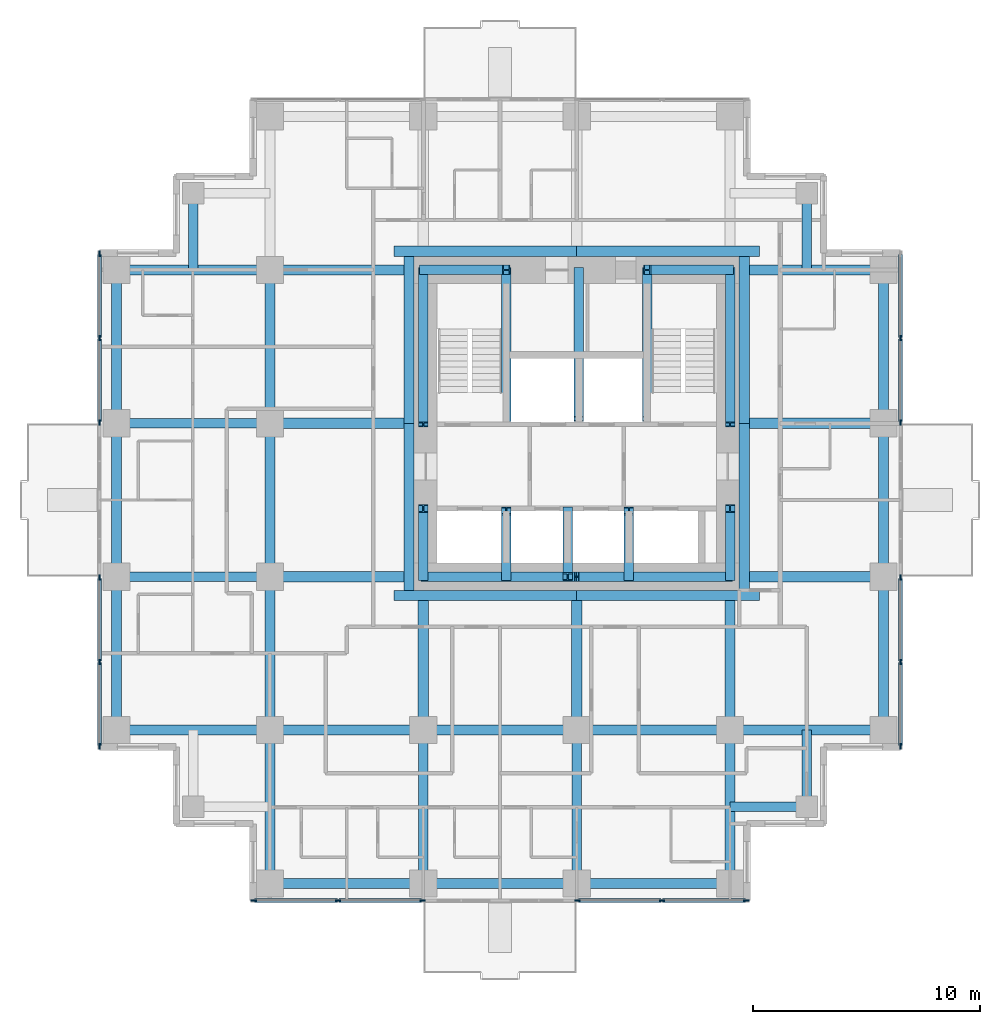
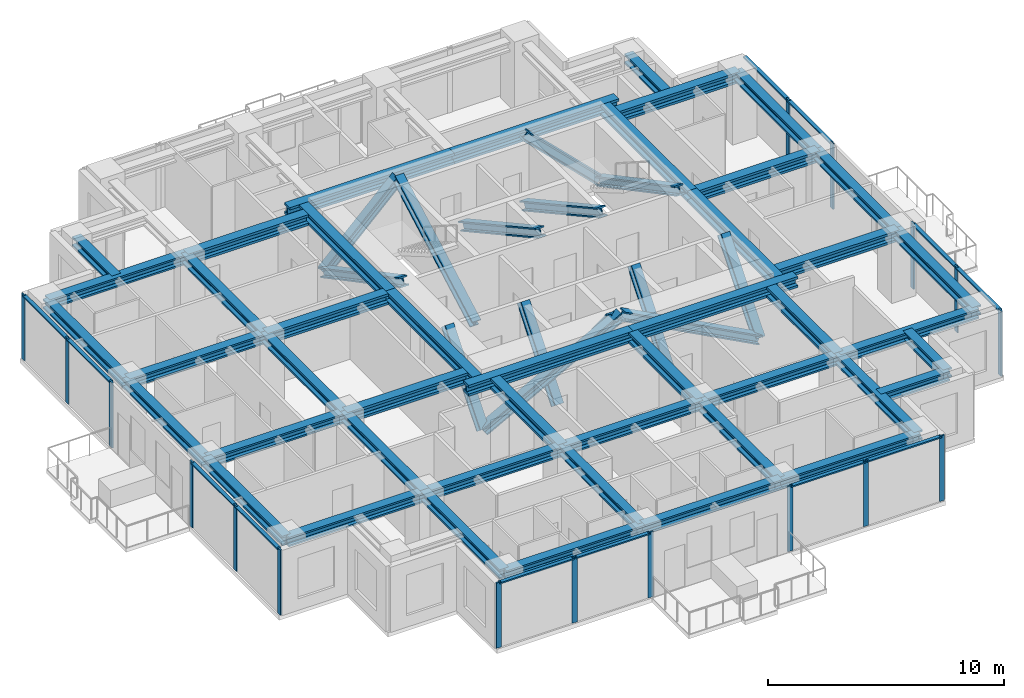
# One storey, part 2 of 10: 45 beams, 43 members, 6 elements without a shape of their own.
"""IFC4 building model written with IfcOpenShell, lengths in metres."""

import ifcopenshell
import ifcopenshell.guid

model = None  # the IFC model being written
_history = None  # IfcOwnerHistory: only IFC2X3 demands one
_inside = {}  # id of a spatial element -> (the spatial element, [elements in it])
_under = {}  # id of a project, library or spatial element -> (it, [spatial elements below it])
_declared = {}  # id of a project -> (the project, [libraries it declares])
_typed = {}  # id of a type object -> (the type object, [elements of that type])
_made_of = {}  # id of a material, layer set ... -> (it, [elements and type objects made of it])


def new_model(schema):
    """Start an empty IFC model of exactly this schema.

    Asked for "IFC4X3", IfcOpenShell would pick the latest addendum, in which some entities
    have other attributes; the version numbers below select the first issue.
    IFC2X3 requires an IfcOwnerHistory on every rooted entity: one is made here for all.
    """
    global model, _history
    if schema == "IFC4X3":
        model = ifcopenshell.file(schema_version=(4, 3, 0, 0))
    else:
        model = ifcopenshell.file(schema=schema)
    _inside.clear()
    _under.clear()
    _declared.clear()
    _typed.clear()
    _made_of.clear()
    _history = None
    if model.schema == "IFC2X3":
        org = make("IfcOrganization", Name="unknown")
        user = make(
            "IfcPersonAndOrganization",
            ThePerson=make("IfcPerson", FamilyName="unknown"),
            TheOrganization=org,
        )
        app = make(
            "IfcApplication",
            ApplicationDeveloper=org,
            Version="unknown",
            ApplicationFullName="unknown",
            ApplicationIdentifier="unknown",
        )
        _history = make(
            "IfcOwnerHistory",
            OwningUser=user,
            OwningApplication=app,
            ChangeAction="ADDED",
            CreationDate=0,
        )
    return model


def make(cls, **values):
    """One entity of the class cls with the attributes given. An attribute that is None is left unset."""
    return model.create_entity(
        cls, **{name: value for name, value in values.items() if value is not None}
    )


def rooted(cls, **values):
    """An entity with a GlobalId (a new one), such as an element, a storey or a relation."""
    return make(cls, GlobalId=ifcopenshell.guid.new(), OwnerHistory=_history, **values)


def si_unit(unit_type, name, prefix=None):
    """IfcSIUnit, for example si_unit("LENGTHUNIT", "METRE", prefix="MILLI")."""
    return make("IfcSIUnit", UnitType=unit_type, Prefix=prefix, Name=name)


def assignment(units):
    """IfcUnitAssignment: the units of a project."""
    return None if units is None else make("IfcUnitAssignment", Units=units)


def point(xyz):
    """IfcCartesianPoint."""
    return None if xyz is None else make("IfcCartesianPoint", Coordinates=xyz)


def direction(xyz):
    """IfcDirection."""
    return None if xyz is None else make("IfcDirection", DirectionRatios=xyz)


def frame(location, z_axis=None, x_axis=None):
    """IfcAxis2Placement3D, a coordinate frame: its origin and axes. An axis left out is left unset."""
    return make(
        "IfcAxis2Placement3D",
        Location=point(location),
        Axis=direction(z_axis),
        RefDirection=direction(x_axis),
    )


def frame_2d(location, x_axis=None):
    """IfcAxis2Placement2D, a coordinate frame in the plane: its origin and x axis."""
    return make(
        "IfcAxis2Placement2D", Location=point(location), RefDirection=direction(x_axis)
    )


def origin():
    """The frame at (0, 0, 0) with its axes left unset."""
    return frame((0.0, 0.0, 0.0))


def origin_2d():
    """The frame at (0, 0) in the plane with its x axis left unset."""
    return frame_2d((0.0, 0.0))


def place(relative_to, where):
    """IfcLocalPlacement: puts the frame where relative to a parent placement (None: the world)."""
    return make(
        "IfcLocalPlacement", PlacementRelTo=relative_to, RelativePlacement=where
    )


def context(
    kind, dimensions, precision=None, world=None, true_north=None, identifier=None
):
    """IfcGeometricRepresentationContext, for example the 3D "Model" context."""
    return make(
        "IfcGeometricRepresentationContext",
        ContextIdentifier=identifier,
        ContextType=kind,
        CoordinateSpaceDimension=dimensions,
        Precision=precision,
        WorldCoordinateSystem=world,
        TrueNorth=true_north,
    )


def subcontext(parent, identifier, kind, view, scale=None):
    """IfcGeometricRepresentationSubContext, for example "Body" below "Model"."""
    return make(
        "IfcGeometricRepresentationSubContext",
        ContextIdentifier=identifier,
        ContextType=kind,
        ParentContext=parent,
        TargetScale=scale,
        TargetView=view,
    )


def project(units=None, contexts=None):
    """IfcProject with its units and contexts."""
    return rooted(
        "IfcProject",
        Name="project",
        RepresentationContexts=contexts,
        UnitsInContext=assignment(units),
    )


def spatial(cls, under=None, at=None, **own):
    """A site, building, storey or space (cls), placed at a placement, below another one or the project."""
    s = rooted(cls, ObjectPlacement=at, **own)
    if under is not None:
        _under.setdefault(under.id(), (under, []))[1].append(s)
    return s


def profile(cls, at=None, kind="AREA", **sizes):
    """A parametric profile (cls). Its sizes go by their IFC names, for example OverallWidth=200.0."""
    return make(cls, ProfileType=kind, Position=at, **sizes)


def rectangle(**sizes):
    """IfcRectangleProfileDef."""
    return profile("IfcRectangleProfileDef", **sizes)


def i_section(**sizes):
    """IfcIShapeProfileDef."""
    return profile("IfcIShapeProfileDef", **sizes)


def extrude(swept, where, along, depth):
    """IfcExtrudedAreaSolid: the profile swept, set in the frame where, extruded along a direction by depth."""
    return make(
        "IfcExtrudedAreaSolid",
        SweptArea=swept,
        Position=where,
        ExtrudedDirection=direction(along),
        Depth=depth,
    )


def shape(context_of_items, identifier, shape_type, items):
    """IfcShapeRepresentation: the items that make up one representation, for example the "Body"."""
    return make(
        "IfcShapeRepresentation",
        ContextOfItems=context_of_items,
        RepresentationIdentifier=identifier,
        RepresentationType=shape_type,
        Items=items,
    )


def material(Name=None, Category=None):
    """IfcMaterial."""
    return make("IfcMaterial", Name=Name, Category=Category)


def material_profile(
    of_material, cross_section, Name=None, Category=None, Priority=None
):
    """IfcMaterialProfile: a cross section and its material."""
    return make(
        "IfcMaterialProfile",
        Name=Name,
        Material=of_material,
        Profile=cross_section,
        Priority=Priority,
        Category=Category,
    )


def profile_set(profiles, Name=None, composite=None):
    """IfcMaterialProfileSet."""
    return make(
        "IfcMaterialProfileSet",
        Name=Name,
        MaterialProfiles=profiles,
        CompositeProfile=composite,
    )


def made_of(thing, what):
    """Note that an element or type object is made of a material, layer set ...; save() writes the relation."""
    if what is not None:
        _made_of.setdefault(what.id(), (what, []))[1].append(thing)
    return thing


def type_object(cls, material=None, **own):
    """A type object (cls), such as IfcWallType, which elements share."""
    return made_of(rooted(cls, **own), material)


def element(
    cls,
    number,
    at=None,
    inside=None,
    cuts=None,
    type_object=None,
    material=None,
    context=None,
    identifier="Body",
    shape_type=None,
    held_by="IfcProductDefinitionShape",
    body=None,
    shapes=None,
    **own,
):
    """One element of the class cls, such as IfcWall. Its Tag is "e" and its number.

    at: its placement. inside: the storey or other place that contains it. cuts: it is an
    opening in that element (IfcRelVoidsElement). A single representation is given by context,
    identifier, shape_type and body (its items); several are given by shapes. held_by: the class
    of the entity that holds the representations. save() writes the other relations.
    """
    e = rooted(cls, Tag="e%d" % number, ObjectPlacement=at, **own)
    if body is not None:
        shapes = [shape(context, identifier, shape_type, body)]
    if shapes is not None:
        e.Representation = make(held_by, Representations=shapes)
    if inside is not None:
        _inside.setdefault(inside.id(), (inside, []))[1].append(e)
    if cuts is not None:
        rooted(
            "IfcRelVoidsElement", RelatingBuildingElement=cuts, RelatedOpeningElement=e
        )
    if type_object is not None:
        _typed.setdefault(type_object.id(), (type_object, []))[1].append(e)
    return made_of(e, material)


def aggregate(whole, parts):
    """IfcRelAggregates: a whole, such as a stair, and the parts it consists of."""
    return rooted("IfcRelAggregates", RelatingObject=whole, RelatedObjects=parts)


def save(model, path):
    """Write the relations noted so far, then the file.

    IfcRelAggregates (storeys below a building ...), IfcRelContainedInSpatialStructure (elements
    in a storey), IfcRelDefinesByType, IfcRelAssociatesMaterial and IfcRelDeclares: one each for
    every whole, place, type object, material and project.
    """
    for whole, parts in _under.values():
        aggregate(whole, parts)
    for where, things in _inside.values():
        rooted(
            "IfcRelContainedInSpatialStructure",
            RelatedElements=things,
            RelatingStructure=where,
        )
    for kind, things in _typed.values():
        rooted("IfcRelDefinesByType", RelatedObjects=things, RelatingType=kind)
    for what, things in _made_of.values():
        rooted("IfcRelAssociatesMaterial", RelatedObjects=things, RelatingMaterial=what)
    for by, libraries in _declared.values():
        rooted("IfcRelDeclares", RelatingContext=by, RelatedDefinitions=libraries)
    model.write(path)


model = new_model("IFC4")

# Units and contexts
model_context = context("Model", 3, precision=1e-05, world=origin(), true_north=direction((0.0, 1.0)))
body_context = subcontext(model_context, "Body", "Model", "MODEL_VIEW")
ifc_project = project(units=[si_unit("LENGTHUNIT", "METRE"), si_unit("AREAUNIT", "SQUARE_METRE"), si_unit("VOLUMEUNIT", "CUBIC_METRE"), si_unit("PLANEANGLEUNIT", "RADIAN"), si_unit("MASSUNIT", "GRAM", prefix="KILO")], contexts=[model_context])

# Site, building, storey
site_placement = place(None, origin())
site = spatial("IfcSite", under=ifc_project, at=site_placement, CompositionType="ELEMENT")
building_placement = place(site_placement, origin())
building = spatial("IfcBuilding", under=site, at=building_placement, Name="Nyansa Garden Tower", CompositionType="ELEMENT")
storey_placement = place(building_placement, frame((0.0, 0.0, 178.199951171875)))
storey = spatial("IfcBuildingStorey", under=building, at=storey_placement, Name="L48", CompositionType="ELEMENT", Elevation=178.199951171875)

# Curtain wall, members
ifc_material_1 = material(Name="Black anodised aluminium, dark tinted double glazing", Category="aluminium")
curtain_wall_type = type_object("IfcCurtainWallType", Name="Inner skin curtain wall ISW-C", PredefinedType="USERDEFINED", material=ifc_material_1)
curtain_wall_1_placement = place(storey_placement, origin())
curtain_wall_1 = element("IfcCurtainWall", 1, at=curtain_wall_1_placement, inside=storey, type_object=curtain_wall_type, Name="Inner skin curtain wall L48 E", ObjectType="UNITISED CURTAIN WALL", PredefinedType="USERDEFINED")
ifc_material_2 = material(Name="Black anodised aluminium", Category="aluminium")
ifc_material_profile_1 = material_profile(ifc_material_2, rectangle(XDim=0.070068359375, YDim=0.25, at=origin_2d()), Name="Mullion 250x70")
ifc_profile_set_1 = profile_set([ifc_material_profile_1], Name="Black anodised aluminium")
member_type_1 = type_object("IfcMemberType", Name="Mullion ISW-C 250x70", PredefinedType="MULLION", material=ifc_profile_set_1)
member_1_placement = place(storey_placement, frame((34.5, 6.034912109375, 0.0), z_axis=(0.0, 0.0, 1.0), x_axis=(-1.0, 0.0, 0.0)))
member_1 = element("IfcMember", 2, at=member_1_placement, type_object=member_type_1, Name="ISW-C mullion 1", PredefinedType="MULLION", context=body_context, shape_type="SweptSolid", body=[
    extrude(rectangle(XDim=0.070068359375, YDim=0.25, at=origin_2d()), origin(), (0.0, 0.0, 1.0), 3.375),
])
member_2_placement = place(storey_placement, frame((34.5, 9.75, 0.0), z_axis=(0.0, 0.0, 1.0), x_axis=(-1.0, 0.0, 0.0)))
member_2 = element("IfcMember", 3, at=member_2_placement, type_object=member_type_1, Name="ISW-C mullion 2", PredefinedType="MULLION", context=body_context, shape_type="SweptSolid", body=[
    extrude(rectangle(XDim=0.070068359375, YDim=0.25, at=origin_2d()), origin(), (0.0, 0.0, 1.0), 3.375),
])
member_3_placement = place(storey_placement, frame((34.5, 13.465087890625, 0.0), z_axis=(0.0, 0.0, 1.0), x_axis=(-1.0, 0.0, 0.0)))
member_3 = element("IfcMember", 4, at=member_3_placement, type_object=member_type_1, Name="ISW-C mullion 3", PredefinedType="MULLION", context=body_context, shape_type="SweptSolid", body=[
    extrude(rectangle(XDim=0.070068359375, YDim=0.25, at=origin_2d()), origin(), (0.0, 0.0, 1.0), 3.375),
])

curtain_wall_2_placement = place(storey_placement, origin())
curtain_wall_2 = element("IfcCurtainWall", 5, at=curtain_wall_2_placement, inside=storey, type_object=curtain_wall_type, Name="Inner skin curtain wall L48 E", ObjectType="UNITISED CURTAIN WALL", PredefinedType="USERDEFINED")
member_4_placement = place(storey_placement, frame((34.5, 20.284912109375, 0.0), z_axis=(0.0, 0.0, 1.0), x_axis=(-1.0, 0.0, 0.0)))
member_4 = element("IfcMember", 6, at=member_4_placement, type_object=member_type_1, Name="ISW-C mullion 1", PredefinedType="MULLION", context=body_context, shape_type="SweptSolid", body=[
    extrude(rectangle(XDim=0.070068359375, YDim=0.25, at=origin_2d()), origin(), (0.0, 0.0, 1.0), 3.375),
])
member_5_placement = place(storey_placement, frame((34.5, 24.0, 0.0), z_axis=(0.0, 0.0, 1.0), x_axis=(-1.0, 0.0, 0.0)))
member_5 = element("IfcMember", 7, at=member_5_placement, type_object=member_type_1, Name="ISW-C mullion 2", PredefinedType="MULLION", context=body_context, shape_type="SweptSolid", body=[
    extrude(rectangle(XDim=0.070068359375, YDim=0.25, at=origin_2d()), origin(), (0.0, 0.0, 1.0), 3.375),
])

curtain_wall_3_placement = place(storey_placement, origin())
curtain_wall_3 = element("IfcCurtainWall", 8, at=curtain_wall_3_placement, inside=storey, type_object=curtain_wall_type, Name="Inner skin curtain wall L48 W", ObjectType="UNITISED CURTAIN WALL", PredefinedType="USERDEFINED")
member_6_placement = place(storey_placement, frame((-0.75, 13.465087890625, 0.0), z_axis=(0.0, 0.0, 1.0), x_axis=(1.0, 0.0, 0.0)))
member_6 = element("IfcMember", 9, at=member_6_placement, type_object=member_type_1, Name="ISW-C mullion 1", PredefinedType="MULLION", context=body_context, shape_type="SweptSolid", body=[
    extrude(rectangle(XDim=0.070068359375, YDim=0.25, at=origin_2d()), origin(), (0.0, 0.0, 1.0), 3.375),
])
member_7_placement = place(storey_placement, frame((-0.75, 9.75, 0.0), z_axis=(0.0, 0.0, 1.0), x_axis=(1.0, 0.0, 0.0)))
member_7 = element("IfcMember", 10, at=member_7_placement, type_object=member_type_1, Name="ISW-C mullion 2", PredefinedType="MULLION", context=body_context, shape_type="SweptSolid", body=[
    extrude(rectangle(XDim=0.070068359375, YDim=0.25, at=origin_2d()), origin(), (0.0, 0.0, 1.0), 3.375),
])
member_8_placement = place(storey_placement, frame((-0.75, 6.034912109375, 0.0), z_axis=(0.0, 0.0, 1.0), x_axis=(1.0, 0.0, 0.0)))
member_8 = element("IfcMember", 11, at=member_8_placement, type_object=member_type_1, Name="ISW-C mullion 3", PredefinedType="MULLION", context=body_context, shape_type="SweptSolid", body=[
    extrude(rectangle(XDim=0.070068359375, YDim=0.25, at=origin_2d()), origin(), (0.0, 0.0, 1.0), 3.375),
])

curtain_wall_4_placement = place(storey_placement, origin())
curtain_wall_4 = element("IfcCurtainWall", 12, at=curtain_wall_4_placement, inside=storey, type_object=curtain_wall_type, Name="Inner skin curtain wall L48 W", ObjectType="UNITISED CURTAIN WALL", PredefinedType="USERDEFINED")
member_9_placement = place(storey_placement, frame((-0.75, 27.715087890625, 0.0), z_axis=(0.0, 0.0, 1.0), x_axis=(1.0, 0.0, 0.0)))
member_9 = element("IfcMember", 13, at=member_9_placement, type_object=member_type_1, Name="ISW-C mullion 1", PredefinedType="MULLION", context=body_context, shape_type="SweptSolid", body=[
    extrude(rectangle(XDim=0.070068359375, YDim=0.25, at=origin_2d()), origin(), (0.0, 0.0, 1.0), 3.375),
])
member_10_placement = place(storey_placement, frame((-0.75, 24.0, 0.0), z_axis=(0.0, 0.0, 1.0), x_axis=(1.0, 0.0, 0.0)))
member_10 = element("IfcMember", 14, at=member_10_placement, type_object=member_type_1, Name="ISW-C mullion 2", PredefinedType="MULLION", context=body_context, shape_type="SweptSolid", body=[
    extrude(rectangle(XDim=0.070068359375, YDim=0.25, at=origin_2d()), origin(), (0.0, 0.0, 1.0), 3.375),
])
member_11_placement = place(storey_placement, frame((-0.75, 20.284912109375, 0.0), z_axis=(0.0, 0.0, 1.0), x_axis=(1.0, 0.0, 0.0)))
member_11 = element("IfcMember", 15, at=member_11_placement, type_object=member_type_1, Name="ISW-C mullion 3", PredefinedType="MULLION", context=body_context, shape_type="SweptSolid", body=[
    extrude(rectangle(XDim=0.070068359375, YDim=0.25, at=origin_2d()), origin(), (0.0, 0.0, 1.0), 3.375),
])

curtain_wall_5_placement = place(storey_placement, origin())
curtain_wall_5 = element("IfcCurtainWall", 16, at=curtain_wall_5_placement, inside=storey, type_object=curtain_wall_type, Name="Inner skin curtain wall L48 S", ObjectType="UNITISED CURTAIN WALL", PredefinedType="USERDEFINED")
member_12_placement = place(storey_placement, frame((6.034912109375, -0.75, 0.0), z_axis=(0.0, 0.0, 1.0), x_axis=(0.0, 1.0, 0.0)))
member_12 = element("IfcMember", 17, at=member_12_placement, type_object=member_type_1, Name="ISW-C mullion 1", PredefinedType="MULLION", context=body_context, shape_type="SweptSolid", body=[
    extrude(rectangle(XDim=0.070068359375, YDim=0.25, at=origin_2d()), origin(), (0.0, 0.0, 1.0), 3.375),
])
member_13_placement = place(storey_placement, frame((9.75, -0.75, 0.0), z_axis=(0.0, 0.0, 1.0), x_axis=(0.0, 1.0, 0.0)))
member_13 = element("IfcMember", 18, at=member_13_placement, type_object=member_type_1, Name="ISW-C mullion 2", PredefinedType="MULLION", context=body_context, shape_type="SweptSolid", body=[
    extrude(rectangle(XDim=0.070068359375, YDim=0.25, at=origin_2d()), origin(), (0.0, 0.0, 1.0), 3.375),
])
member_14_placement = place(storey_placement, frame((13.465087890625, -0.75, 0.0), z_axis=(0.0, 0.0, 1.0), x_axis=(0.0, 1.0, 0.0)))
member_14 = element("IfcMember", 19, at=member_14_placement, type_object=member_type_1, Name="ISW-C mullion 3", PredefinedType="MULLION", context=body_context, shape_type="SweptSolid", body=[
    extrude(rectangle(XDim=0.070068359375, YDim=0.25, at=origin_2d()), origin(), (0.0, 0.0, 1.0), 3.375),
])

curtain_wall_6_placement = place(storey_placement, origin())
curtain_wall_6 = element("IfcCurtainWall", 20, at=curtain_wall_6_placement, inside=storey, type_object=curtain_wall_type, Name="Inner skin curtain wall L48 S", ObjectType="UNITISED CURTAIN WALL", PredefinedType="USERDEFINED")
member_15_placement = place(storey_placement, frame((20.284912109375, -0.75, 0.0), z_axis=(0.0, 0.0, 1.0), x_axis=(0.0, 1.0, 0.0)))
member_15 = element("IfcMember", 21, at=member_15_placement, type_object=member_type_1, Name="ISW-C mullion 1", PredefinedType="MULLION", context=body_context, shape_type="SweptSolid", body=[
    extrude(rectangle(XDim=0.070068359375, YDim=0.25, at=origin_2d()), origin(), (0.0, 0.0, 1.0), 3.375),
])
member_16_placement = place(storey_placement, frame((24.0, -0.75, 0.0), z_axis=(0.0, 0.0, 1.0), x_axis=(0.0, 1.0, 0.0)))
member_16 = element("IfcMember", 22, at=member_16_placement, type_object=member_type_1, Name="ISW-C mullion 2", PredefinedType="MULLION", context=body_context, shape_type="SweptSolid", body=[
    extrude(rectangle(XDim=0.070068359375, YDim=0.25, at=origin_2d()), origin(), (0.0, 0.0, 1.0), 3.375),
])
member_17_placement = place(storey_placement, frame((27.715087890625, -0.75, 0.0), z_axis=(0.0, 0.0, 1.0), x_axis=(0.0, 1.0, 0.0)))
member_17 = element("IfcMember", 23, at=member_17_placement, type_object=member_type_1, Name="ISW-C mullion 3", PredefinedType="MULLION", context=body_context, shape_type="SweptSolid", body=[
    extrude(rectangle(XDim=0.070068359375, YDim=0.25, at=origin_2d()), origin(), (0.0, 0.0, 1.0), 3.375),
])

# Members
ifc_material_3 = material(Name="Steel S355", Category="steel")
ifc_material_profile_2 = material_profile(ifc_material_3, i_section(OverallWidth=0.41796875, OverallDepth=0.455078125, WebThickness=0.0419921875, FlangeThickness=0.067626953125, FilletRadius=0.014892578125, at=origin_2d()), Name="HD 400x463")
ifc_profile_set_2 = profile_set([ifc_material_profile_2], Name="Steel S355")
member_type_2 = type_object("IfcMemberType", Name="Perimeter brace heavy HD 400x463", PredefinedType="BRACE", material=ifc_profile_set_2)
for number, where, z_axis, x_axis, name in (
    (24, (13.5, 13.5, 0.0), (0.882347640589, 0.0, 0.47059817376), (0.0, 1.0, 0.0), "Core brace CS1 L48"),
    (25, (27.0, 13.5, 0.0), (-0.882347640589, 0.0, 0.47059817376), (0.0, -1.0, 0.0), "Core brace CS2 L48"),
):
    element("IfcMember", number, at=place(storey_placement, frame(where, z_axis=z_axis, x_axis=x_axis)), inside=storey, type_object=member_type_2, Name=name, PredefinedType="BRACE", context=body_context, shape_type="SweptSolid", body=[
        extrude(i_section(OverallWidth=0.41796875, OverallDepth=0.455078125, WebThickness=0.0419921875, FlangeThickness=0.067626953125, FilletRadius=0.014892578125, at=origin_2d()), origin(), (0.0, 0.0, 1.0), 7.650146484375),
    ])
for number, where, z_axis, x_axis, name in (
    (26, (13.5, 27.0, 0.0), (0.711947531702, 0.0, 0.702232662373), (0.0, 1.0, 0.0), "Core brace CN3 L48"),
    (27, (27.0, 27.0, 0.0), (-0.711947531702, 0.0, 0.702232662373), (0.0, -1.0, 0.0), "Core brace CN4 L48"),
):
    element("IfcMember", number, at=place(storey_placement, frame(where, z_axis=z_axis, x_axis=x_axis)), inside=storey, type_object=member_type_2, Name=name, PredefinedType="BRACE", context=body_context, shape_type="SweptSolid", body=[
        extrude(i_section(OverallWidth=0.41796875, OverallDepth=0.455078125, WebThickness=0.0419921875, FlangeThickness=0.067626953125, FilletRadius=0.014892578125, at=origin_2d()), origin(), (0.0, 0.0, 1.0), 5.126708984375),
    ])
member_18_placement = place(storey_placement, frame((13.5, 13.5, 0.0), z_axis=(0.0, 0.640174150918, 0.768229820104), x_axis=(-1.0, 0.0, 0.0)))
element("IfcMember", 28, at=member_18_placement, inside=storey, type_object=member_type_2, Name="Core brace CW5 L48", PredefinedType="BRACE", context=body_context, shape_type="SweptSolid", body=[
    extrude(i_section(OverallWidth=0.41796875, OverallDepth=0.455078125, WebThickness=0.0419921875, FlangeThickness=0.067626953125, FilletRadius=0.014892578125, at=origin_2d()), origin(), (0.0, 0.0, 1.0), 4.686279296875),
])
member_19_placement = place(storey_placement, frame((13.5, 27.0, 0.0), z_axis=(0.0, -0.883784057226, 0.467895009796), x_axis=(1.0, 0.0, 0.0)))
element("IfcMember", 29, at=member_19_placement, inside=storey, type_object=member_type_2, Name="Core brace CW6 L48", PredefinedType="BRACE", context=body_context, shape_type="SweptSolid", body=[
    extrude(i_section(OverallWidth=0.41796875, OverallDepth=0.455078125, WebThickness=0.0419921875, FlangeThickness=0.067626953125, FilletRadius=0.014892578125, at=origin_2d()), origin(), (0.0, 0.0, 1.0), 7.6943359375),
])
member_20_placement = place(storey_placement, frame((27.0, 13.5, 0.0), z_axis=(0.0, 0.640174150918, 0.768229820104), x_axis=(-1.0, 0.0, 0.0)))
element("IfcMember", 30, at=member_20_placement, inside=storey, type_object=member_type_2, Name="Core brace CE7 L48", PredefinedType="BRACE", context=body_context, shape_type="SweptSolid", body=[
    extrude(i_section(OverallWidth=0.41796875, OverallDepth=0.455078125, WebThickness=0.0419921875, FlangeThickness=0.067626953125, FilletRadius=0.014892578125, at=origin_2d()), origin(), (0.0, 0.0, 1.0), 4.686279296875),
])
member_21_placement = place(storey_placement, frame((27.0, 27.0, 0.0), z_axis=(0.0, -0.883784057226, 0.467895009796), x_axis=(1.0, 0.0, 0.0)))
element("IfcMember", 31, at=member_21_placement, inside=storey, type_object=member_type_2, Name="Core brace CE8 L48", PredefinedType="BRACE", context=body_context, shape_type="SweptSolid", body=[
    extrude(i_section(OverallWidth=0.41796875, OverallDepth=0.455078125, WebThickness=0.0419921875, FlangeThickness=0.067626953125, FilletRadius=0.014892578125, at=origin_2d()), origin(), (0.0, 0.0, 1.0), 7.6943359375),
])
for number, where, z_axis, x_axis, name in (
    (32, (17.14990234375, 20.449951171875, 0.0), (0.0, 0.876353113771, 0.481669201822), (-1.0, 0.0, 0.0), "Core brace CWS9 L48"),
    (33, (23.35009765625, 27.0, 0.0), (0.0, -0.876353113771, 0.481669201822), (1.0, 0.0, 0.0), "Core brace CES10 L48"),
):
    element("IfcMember", number, at=place(storey_placement, frame(where, z_axis=z_axis, x_axis=x_axis)), inside=storey, type_object=member_type_2, Name=name, PredefinedType="BRACE", context=body_context, shape_type="SweptSolid", body=[
        extrude(i_section(OverallWidth=0.41796875, OverallDepth=0.455078125, WebThickness=0.0419921875, FlangeThickness=0.067626953125, FilletRadius=0.014892578125, at=origin_2d()), origin(), (0.0, 0.0, 1.0), 7.47412109375),
    ])
for number, where, z_axis, x_axis, name in (
    (34, (17.14990234375, 13.5, 0.0), (0.0, 0.627306405886, 0.778772542617), (-1.0, 0.0, 0.0), "Core brace CSW11 L48"),
    (35, (19.85009765625, 16.39990234375, 0.0), (0.0, -0.627306405886, 0.778772542617), (1.0, 0.0, 0.0), "Core brace CSW12 L48"),
    (36, (22.550048828125, 13.5, 0.0), (0.0, 0.627306405886, 0.778772542617), (-1.0, 0.0, 0.0), "Core brace CSW13 L48"),
):
    element("IfcMember", number, at=place(storey_placement, frame(where, z_axis=z_axis, x_axis=x_axis)), inside=storey, type_object=member_type_2, Name=name, PredefinedType="BRACE", context=body_context, shape_type="SweptSolid", body=[
        extrude(i_section(OverallWidth=0.41796875, OverallDepth=0.455078125, WebThickness=0.0419921875, FlangeThickness=0.067626953125, FilletRadius=0.014892578125, at=origin_2d()), origin(), (0.0, 0.0, 1.0), 4.622802734375),
    ])
member_22_placement = place(storey_placement, frame((20.35009765625, 27.0, 0.0), z_axis=(0.0, -0.876353113771, 0.481669201822), x_axis=(1.0, 0.0, 0.0)))
element("IfcMember", 37, at=member_22_placement, inside=storey, type_object=member_type_2, Name="Core brace CNW14 L48", PredefinedType="BRACE", context=body_context, shape_type="SweptSolid", body=[
    extrude(i_section(OverallWidth=0.41796875, OverallDepth=0.455078125, WebThickness=0.0419921875, FlangeThickness=0.067626953125, FilletRadius=0.014892578125, at=origin_2d()), origin(), (0.0, 0.0, 1.0), 7.47412109375),
])

# Beams
ifc_material_4 = material(Name="Steel S355", Category="steel")
ifc_material_profile_3 = material_profile(ifc_material_4, i_section(OverallWidth=0.431884765625, OverallDepth=0.498046875, WebThickness=0.0556640625, FlangeThickness=0.0888671875, FilletRadius=0.014892578125, at=origin_2d()), Name="HD 400x744")
ifc_profile_set_3 = profile_set([ifc_material_profile_3], Name="Steel S355")
beam_type_1 = type_object("IfcBeamType", Name="Steel beam SBC1-744 HD 400x744", PredefinedType="BEAM", material=ifc_profile_set_3)
for number, where, z_axis, x_axis, name in (
    (38, (0.0, 6.75, 3.1259765625), (1.0, 0.0, 0.0), (0.0, 1.0, 0.0), "Steel beam 2/E-3/E L49"),
    (39, (0.0, 13.5, 3.1259765625), (1.0, 0.0, 0.0), (0.0, 1.0, 0.0), "Steel beam 2/F-3/F L49"),
    (40, (0.0, 20.25, 3.1259765625), (1.0, 0.0, 0.0), (0.0, 1.0, 0.0), "Steel beam 2/G-3/G L49"),
    (41, (0.0, 27.0, 3.1259765625), (1.0, 0.0, 0.0), (0.0, 1.0, 0.0), "Steel beam 2/H-3/H L49"),
    (42, (6.75, 0.0, 3.1259765625), (0.0, 1.0, 0.0), (-1.0, 0.0, 0.0), "Steel beam 3/D-3/E L49"),
    (43, (6.75, 6.75, 3.1259765625), (0.0, 1.0, 0.0), (-1.0, 0.0, 0.0), "Steel beam 3/E-3/F L49"),
    (44, (6.75, 6.75, 3.1259765625), (1.0, 0.0, 0.0), (0.0, 1.0, 0.0), "Steel beam 3/E-4/E L49"),
    (45, (6.75, 13.5, 3.1259765625), (0.0, 1.0, 0.0), (-1.0, 0.0, 0.0), "Steel beam 3/F-3/G L49"),
    (46, (6.75, 20.25, 3.1259765625), (0.0, 1.0, 0.0), (-1.0, 0.0, 0.0), "Steel beam 3/G-3/H L49"),
    (47, (13.5, 0.0, 3.1259765625), (0.0, 1.0, 0.0), (-1.0, 0.0, 0.0), "Steel beam 4/D-4/E L49"),
    (48, (13.5, 6.75, 3.1259765625), (1.0, 0.0, 0.0), (0.0, 1.0, 0.0), "Steel beam 4/E-5/E L49"),
    (49, (20.25, 0.0, 3.1259765625), (0.0, 1.0, 0.0), (-1.0, 0.0, 0.0), "Steel beam 5/D-5/E L49"),
    (50, (20.25, 6.75, 3.1259765625), (1.0, 0.0, 0.0), (0.0, 1.0, 0.0), "Steel beam 5/E-6/E L49"),
    (51, (27.0, 0.0, 3.1259765625), (0.0, 1.0, 0.0), (-1.0, 0.0, 0.0), "Steel beam 6/D-6/E L49"),
    (52, (27.0, 6.75, 3.1259765625), (1.0, 0.0, 0.0), (0.0, 1.0, 0.0), "Steel beam 6/E-7/E L49"),
):
    element("IfcBeam", number, at=place(storey_placement, frame(where, z_axis=z_axis, x_axis=x_axis)), inside=storey, type_object=beam_type_1, Name=name, PredefinedType="BEAM", context=body_context, shape_type="SweptSolid", body=[
        extrude(i_section(OverallWidth=0.431884765625, OverallDepth=0.498046875, WebThickness=0.0556640625, FlangeThickness=0.0888671875, FilletRadius=0.014892578125, at=origin_2d()), origin(), (0.0, 0.0, 1.0), 6.75),
    ])
ifc_material_5 = material(Name="Steel S355", Category="steel")
ifc_material_profile_4 = material_profile(ifc_material_5, i_section(OverallWidth=0.4541015625, OverallDepth=0.569091796875, WebThickness=0.077880859375, FlangeThickness=0.125, FilletRadius=0.014892578125, at=origin_2d()), Name="HD 400x1086")
ifc_profile_set_4 = profile_set([ifc_material_profile_4], Name="Steel S355")
beam_type_2 = type_object("IfcBeamType", Name="Steel beam SCL-1086 HD 400x1086", PredefinedType="BEAM", material=ifc_profile_set_4)
for number, where, z_axis, x_axis, name in (
    (53, (6.75, 13.5, 3.090576171875), (1.0, 0.0, 0.0), (0.0, 1.0, 0.0), "Steel beam 3/F-12.650/F L49"),
    (54, (6.75, 20.25, 3.090576171875), (1.0, 0.0, 0.0), (0.0, 1.0, 0.0), "Steel beam 3/G-12.650/G L49"),
    (55, (6.75, 27.0, 3.090576171875), (1.0, 0.0, 0.0), (0.0, 1.0, 0.0), "Steel beam 3/H-12.650/H L49"),
):
    element("IfcBeam", number, at=place(storey_placement, frame(where, z_axis=z_axis, x_axis=x_axis)), inside=storey, type_object=beam_type_2, Name=name, PredefinedType="BEAM", context=body_context, shape_type="SweptSolid", body=[
        extrude(i_section(OverallWidth=0.4541015625, OverallDepth=0.569091796875, WebThickness=0.077880859375, FlangeThickness=0.125, FilletRadius=0.014892578125, at=origin_2d()), origin(), (0.0, 0.0, 1.0), 5.89990234375),
    ])
for number, where, z_axis, x_axis, name in (
    (56, (13.5, 6.75, 3.090576171875), (0.0, 1.0, 0.0), (-1.0, 0.0, 0.0), "Steel beam 4/E-4/12.450 L49"),
    (57, (20.25, 6.75, 3.090576171875), (0.0, 1.0, 0.0), (-1.0, 0.0, 0.0), "Steel beam 5/E-5/12.450 L49"),
    (58, (27.0, 6.75, 3.090576171875), (0.0, 1.0, 0.0), (-1.0, 0.0, 0.0), "Steel beam 6/E-6/12.450 L49"),
):
    element("IfcBeam", number, at=place(storey_placement, frame(where, z_axis=z_axis, x_axis=x_axis)), inside=storey, type_object=beam_type_2, Name=name, PredefinedType="BEAM", context=body_context, shape_type="SweptSolid", body=[
        extrude(i_section(OverallWidth=0.4541015625, OverallDepth=0.569091796875, WebThickness=0.077880859375, FlangeThickness=0.125, FilletRadius=0.014892578125, at=origin_2d()), origin(), (0.0, 0.0, 1.0), 5.699951171875),
    ])
for number, where, z_axis, x_axis, name in (
    (59, (27.85009765625, 13.5, 3.090576171875), (1.0, 0.0, 0.0), (0.0, 1.0, 0.0), "Steel beam 27.850/F-7/F L49"),
    (60, (27.85009765625, 20.25, 3.090576171875), (1.0, 0.0, 0.0), (0.0, 1.0, 0.0), "Steel beam 27.850/G-7/G L49"),
    (61, (27.85009765625, 27.0, 3.090576171875), (1.0, 0.0, 0.0), (0.0, 1.0, 0.0), "Steel beam 27.850/H-7/H L49"),
):
    element("IfcBeam", number, at=place(storey_placement, frame(where, z_axis=z_axis, x_axis=x_axis)), inside=storey, type_object=beam_type_2, Name=name, PredefinedType="BEAM", context=body_context, shape_type="SweptSolid", body=[
        extrude(i_section(OverallWidth=0.4541015625, OverallDepth=0.569091796875, WebThickness=0.077880859375, FlangeThickness=0.125, FilletRadius=0.014892578125, at=origin_2d()), origin(), (0.0, 0.0, 1.0), 5.89990234375),
    ])
for number, where, z_axis, x_axis, name in (
    (62, (12.199951171875, 12.673095703125, 3.090576171875), (1.0, 0.0, 0.0), (0.0, 1.0, 0.0), "Steel core ledger beam S.1 L49"),
    (63, (20.25, 12.673095703125, 3.090576171875), (1.0, 0.0, 0.0), (0.0, 1.0, 0.0), "Steel core ledger beam S.2 L49"),
):
    element("IfcBeam", number, at=place(storey_placement, frame(where, z_axis=z_axis, x_axis=x_axis)), inside=storey, type_object=beam_type_2, Name=name, PredefinedType="BEAM", context=body_context, shape_type="SweptSolid", body=[
        extrude(i_section(OverallWidth=0.4541015625, OverallDepth=0.569091796875, WebThickness=0.077880859375, FlangeThickness=0.125, FilletRadius=0.014892578125, at=origin_2d()), origin(), (0.0, 0.0, 1.0), 8.050048828125),
    ])
for number, where, z_axis, x_axis, name in (
    (64, (27.626953125, 12.89990234375, 3.090576171875), (0.0, 1.0, 0.0), (-1.0, 0.0, 0.0), "Steel core ledger beam E.1 L49"),
    (65, (27.626953125, 20.25, 3.090576171875), (0.0, 1.0, 0.0), (-1.0, 0.0, 0.0), "Steel core ledger beam E.2 L49"),
):
    element("IfcBeam", number, at=place(storey_placement, frame(where, z_axis=z_axis, x_axis=x_axis)), inside=storey, type_object=beam_type_2, Name=name, PredefinedType="BEAM", context=body_context, shape_type="SweptSolid", body=[
        extrude(i_section(OverallWidth=0.4541015625, OverallDepth=0.569091796875, WebThickness=0.077880859375, FlangeThickness=0.125, FilletRadius=0.014892578125, at=origin_2d()), origin(), (0.0, 0.0, 1.0), 7.35009765625),
    ])
for number, where, z_axis, x_axis, name in (
    (66, (28.300048828125, 27.826904296875, 3.090576171875), (-1.0, 0.0, 0.0), (0.0, -1.0, 0.0), "Steel core ledger beam N.1 L49"),
    (67, (20.25, 27.826904296875, 3.090576171875), (-1.0, 0.0, 0.0), (0.0, -1.0, 0.0), "Steel core ledger beam N.2 L49"),
):
    element("IfcBeam", number, at=place(storey_placement, frame(where, z_axis=z_axis, x_axis=x_axis)), inside=storey, type_object=beam_type_2, Name=name, PredefinedType="BEAM", context=body_context, shape_type="SweptSolid", body=[
        extrude(i_section(OverallWidth=0.4541015625, OverallDepth=0.569091796875, WebThickness=0.077880859375, FlangeThickness=0.125, FilletRadius=0.014892578125, at=origin_2d()), origin(), (0.0, 0.0, 1.0), 8.050048828125),
    ])
for number, where, z_axis, x_axis, name in (
    (68, (12.873046875, 27.60009765625, 3.090576171875), (0.0, -1.0, 0.0), (1.0, 0.0, 0.0), "Steel core ledger beam W.1 L49"),
    (69, (12.873046875, 20.25, 3.090576171875), (0.0, -1.0, 0.0), (1.0, 0.0, 0.0), "Steel core ledger beam W.2 L49"),
):
    element("IfcBeam", number, at=place(storey_placement, frame(where, z_axis=z_axis, x_axis=x_axis)), inside=storey, type_object=beam_type_2, Name=name, PredefinedType="BEAM", context=body_context, shape_type="SweptSolid", body=[
        extrude(i_section(OverallWidth=0.4541015625, OverallDepth=0.569091796875, WebThickness=0.077880859375, FlangeThickness=0.125, FilletRadius=0.014892578125, at=origin_2d()), origin(), (0.0, 0.0, 1.0), 7.35009765625),
    ])
ifc_material_6 = material(Name="Steel S355", Category="steel")
ifc_material_profile_5 = material_profile(ifc_material_6, i_section(OverallWidth=0.431884765625, OverallDepth=0.498046875, WebThickness=0.0556640625, FlangeThickness=0.0888671875, FilletRadius=0.014892578125, at=origin_2d()), Name="HD 400x744")
ifc_profile_set_5 = profile_set([ifc_material_profile_5], Name="Steel S355")
beam_type_3 = type_object("IfcBeamType", Name="Steel beam SEBC-744 HD 400x744", PredefinedType="BEAM", material=ifc_profile_set_5)
for number, where, z_axis, x_axis, name in (
    (70, (0.0, 6.75, 3.1259765625), (0.0, 1.0, 0.0), (-1.0, 0.0, 0.0), "Steel edge beam 2/E-2/F L49"),
    (71, (0.0, 13.5, 3.1259765625), (0.0, 1.0, 0.0), (-1.0, 0.0, 0.0), "Steel edge beam 2/F-2/G L49"),
    (72, (0.0, 20.25, 3.1259765625), (0.0, 1.0, 0.0), (-1.0, 0.0, 0.0), "Steel edge beam 2/G-2/H L49"),
    (73, (6.75, 0.0, 3.1259765625), (1.0, 0.0, 0.0), (0.0, 1.0, 0.0), "Steel edge beam 3/D-4/D L49"),
    (74, (13.5, 0.0, 3.1259765625), (1.0, 0.0, 0.0), (0.0, 1.0, 0.0), "Steel edge beam 4/D-5/D L49"),
    (75, (20.25, 0.0, 3.1259765625), (1.0, 0.0, 0.0), (0.0, 1.0, 0.0), "Steel edge beam 5/D-6/D L49"),
    (76, (33.75, 6.75, 3.1259765625), (0.0, 1.0, 0.0), (-1.0, 0.0, 0.0), "Steel edge beam 7/E-7/F L49"),
    (77, (33.75, 13.5, 3.1259765625), (0.0, 1.0, 0.0), (-1.0, 0.0, 0.0), "Steel edge beam 7/F-7/G L49"),
    (78, (33.75, 20.25, 3.1259765625), (0.0, 1.0, 0.0), (-1.0, 0.0, 0.0), "Steel edge beam 7/G-7/H L49"),
):
    element("IfcBeam", number, at=place(storey_placement, frame(where, z_axis=z_axis, x_axis=x_axis)), inside=storey, type_object=beam_type_3, Name=name, PredefinedType="BEAM", context=body_context, shape_type="SweptSolid", body=[
        extrude(i_section(OverallWidth=0.431884765625, OverallDepth=0.498046875, WebThickness=0.0556640625, FlangeThickness=0.0888671875, FilletRadius=0.014892578125, at=origin_2d()), origin(), (0.0, 0.0, 1.0), 6.75),
    ])
ifc_material_7 = material(Name="Steel S355", Category="steel")
ifc_material_profile_6 = material_profile(ifc_material_7, i_section(OverallWidth=0.431884765625, OverallDepth=0.498046875, WebThickness=0.0556640625, FlangeThickness=0.0888671875, FilletRadius=0.014892578125, at=origin_2d()), Name="HD 400x744")
ifc_profile_set_6 = profile_set([ifc_material_profile_6], Name="Steel S355")
beam_type_4 = type_object("IfcBeamType", Name="Steel beam SSB1-744 HD 400x744", PredefinedType="BEAM", material=ifc_profile_set_6)
for number, where, z_axis, x_axis, name in (
    (79, (30.375, 3.375, 3.1259765625), (0.0, 1.0, 0.0), (-1.0, 0.0, 0.0), "Steel step beam 30.375/3.375 L49"),
    (80, (30.375, 3.375, 3.1259765625), (-1.0, 0.0, 0.0), (0.0, -1.0, 0.0), "Steel step beam 30.375/3.375 L49"),
    (81, (30.375, 30.375, 3.1259765625), (0.0, -1.0, 0.0), (1.0, 0.0, 0.0), "Steel step beam 30.375/30.375 L49"),
    (82, (3.375, 30.375, 3.1259765625), (0.0, -1.0, 0.0), (1.0, 0.0, 0.0), "Steel step beam 3.375/30.375 L49"),
):
    element("IfcBeam", number, at=place(storey_placement, frame(where, z_axis=z_axis, x_axis=x_axis)), inside=storey, type_object=beam_type_4, Name=name, PredefinedType="BEAM", context=body_context, shape_type="SweptSolid", body=[
        extrude(i_section(OverallWidth=0.431884765625, OverallDepth=0.498046875, WebThickness=0.0556640625, FlangeThickness=0.0888671875, FilletRadius=0.014892578125, at=origin_2d()), origin(), (0.0, 0.0, 1.0), 3.375),
    ])

# Member
ifc_material_8 = material(Name="Black anodised aluminium", Category="aluminium")
ifc_material_profile_7 = material_profile(ifc_material_8, rectangle(XDim=0.179931640625, YDim=0.070068359375, at=origin_2d()), Name="Transom 180x70")
ifc_profile_set_7 = profile_set([ifc_material_profile_7], Name="Black anodised aluminium")
member_type_3 = type_object("IfcMemberType", Name="Transom ISW-C 180x70", PredefinedType="USERDEFINED", material=ifc_profile_set_7)
member_23_placement = place(storey_placement, frame((34.5, 6.070068359375, 3.340087890625), z_axis=(0.0, 1.0, 0.0), x_axis=(-1.0, 0.0, 0.0)))
member_23 = element("IfcMember", 83, at=member_23_placement, type_object=member_type_3, Name="ISW-C transom 1", ObjectType="TRANSOM", PredefinedType="USERDEFINED", context=body_context, shape_type="SweptSolid", body=[
    extrude(rectangle(XDim=0.179931640625, YDim=0.070068359375, at=origin_2d()), origin(), (0.0, 0.0, 1.0), 3.64501953125),
])

member_24_placement = place(storey_placement, frame((34.5, 9.784912109375, 3.340087890625), z_axis=(0.0, 1.0, 0.0), x_axis=(-1.0, 0.0, 0.0)))
member_24 = element("IfcMember", 84, at=member_24_placement, type_object=member_type_3, Name="ISW-C transom 2", ObjectType="TRANSOM", PredefinedType="USERDEFINED", context=body_context, shape_type="SweptSolid", body=[
    extrude(rectangle(XDim=0.179931640625, YDim=0.070068359375, at=origin_2d()), origin(), (0.0, 0.0, 1.0), 3.64501953125),
])

aggregate(curtain_wall_1, [member_1, member_2, member_3, member_23, member_24])

member_25_placement = place(storey_placement, frame((34.5, 20.320068359375, 3.340087890625), z_axis=(0.0, 1.0, 0.0), x_axis=(-1.0, 0.0, 0.0)))
member_25 = element("IfcMember", 85, at=member_25_placement, type_object=member_type_3, Name="ISW-C transom 1", ObjectType="TRANSOM", PredefinedType="USERDEFINED", context=body_context, shape_type="SweptSolid", body=[
    extrude(rectangle(XDim=0.179931640625, YDim=0.070068359375, at=origin_2d()), origin(), (0.0, 0.0, 1.0), 3.64501953125),
])

member_26_placement = place(storey_placement, frame((34.5, 24.034912109375, 3.340087890625), z_axis=(0.0, 1.0, 0.0), x_axis=(-1.0, 0.0, 0.0)))
member_26 = element("IfcMember", 86, at=member_26_placement, type_object=member_type_3, Name="ISW-C transom 2", ObjectType="TRANSOM", PredefinedType="USERDEFINED", context=body_context, shape_type="SweptSolid", body=[
    extrude(rectangle(XDim=0.179931640625, YDim=0.070068359375, at=origin_2d()), origin(), (0.0, 0.0, 1.0), 3.64501953125),
])

aggregate(curtain_wall_2, [member_4, member_5, member_25, member_26])

member_27_placement = place(storey_placement, frame((-0.75, 13.429931640625, 3.340087890625), z_axis=(0.0, -1.0, 0.0), x_axis=(1.0, 0.0, 0.0)))
member_27 = element("IfcMember", 87, at=member_27_placement, type_object=member_type_3, Name="ISW-C transom 1", ObjectType="TRANSOM", PredefinedType="USERDEFINED", context=body_context, shape_type="SweptSolid", body=[
    extrude(rectangle(XDim=0.179931640625, YDim=0.070068359375, at=origin_2d()), origin(), (0.0, 0.0, 1.0), 3.64501953125),
])

member_28_placement = place(storey_placement, frame((-0.75, 9.715087890625, 3.340087890625), z_axis=(0.0, -1.0, 0.0), x_axis=(1.0, 0.0, 0.0)))
member_28 = element("IfcMember", 88, at=member_28_placement, type_object=member_type_3, Name="ISW-C transom 2", ObjectType="TRANSOM", PredefinedType="USERDEFINED", context=body_context, shape_type="SweptSolid", body=[
    extrude(rectangle(XDim=0.179931640625, YDim=0.070068359375, at=origin_2d()), origin(), (0.0, 0.0, 1.0), 3.64501953125),
])

aggregate(curtain_wall_3, [member_6, member_7, member_8, member_27, member_28])

member_29_placement = place(storey_placement, frame((-0.75, 27.679931640625, 3.340087890625), z_axis=(0.0, -1.0, 0.0), x_axis=(1.0, 0.0, 0.0)))
member_29 = element("IfcMember", 89, at=member_29_placement, type_object=member_type_3, Name="ISW-C transom 1", ObjectType="TRANSOM", PredefinedType="USERDEFINED", context=body_context, shape_type="SweptSolid", body=[
    extrude(rectangle(XDim=0.179931640625, YDim=0.070068359375, at=origin_2d()), origin(), (0.0, 0.0, 1.0), 3.64501953125),
])

member_30_placement = place(storey_placement, frame((-0.75, 23.965087890625, 3.340087890625), z_axis=(0.0, -1.0, 0.0), x_axis=(1.0, 0.0, 0.0)))
member_30 = element("IfcMember", 90, at=member_30_placement, type_object=member_type_3, Name="ISW-C transom 2", ObjectType="TRANSOM", PredefinedType="USERDEFINED", context=body_context, shape_type="SweptSolid", body=[
    extrude(rectangle(XDim=0.179931640625, YDim=0.070068359375, at=origin_2d()), origin(), (0.0, 0.0, 1.0), 3.64501953125),
])

aggregate(curtain_wall_4, [member_9, member_10, member_11, member_29, member_30])

member_31_placement = place(storey_placement, frame((6.070068359375, -0.75, 3.340087890625), z_axis=(1.0, 0.0, 0.0), x_axis=(0.0, 1.0, 0.0)))
member_31 = element("IfcMember", 91, at=member_31_placement, type_object=member_type_3, Name="ISW-C transom 1", ObjectType="TRANSOM", PredefinedType="USERDEFINED", context=body_context, shape_type="SweptSolid", body=[
    extrude(rectangle(XDim=0.179931640625, YDim=0.070068359375, at=origin_2d()), origin(), (0.0, 0.0, 1.0), 3.64501953125),
])

member_32_placement = place(storey_placement, frame((9.784912109375, -0.75, 3.340087890625), z_axis=(1.0, 0.0, 0.0), x_axis=(0.0, 1.0, 0.0)))
member_32 = element("IfcMember", 92, at=member_32_placement, type_object=member_type_3, Name="ISW-C transom 2", ObjectType="TRANSOM", PredefinedType="USERDEFINED", context=body_context, shape_type="SweptSolid", body=[
    extrude(rectangle(XDim=0.179931640625, YDim=0.070068359375, at=origin_2d()), origin(), (0.0, 0.0, 1.0), 3.64501953125),
])

aggregate(curtain_wall_5, [member_12, member_13, member_14, member_31, member_32])

member_33_placement = place(storey_placement, frame((20.320068359375, -0.75, 3.340087890625), z_axis=(1.0, 0.0, 0.0), x_axis=(0.0, 1.0, 0.0)))
member_33 = element("IfcMember", 93, at=member_33_placement, type_object=member_type_3, Name="ISW-C transom 1", ObjectType="TRANSOM", PredefinedType="USERDEFINED", context=body_context, shape_type="SweptSolid", body=[
    extrude(rectangle(XDim=0.179931640625, YDim=0.070068359375, at=origin_2d()), origin(), (0.0, 0.0, 1.0), 3.64501953125),
])

member_34_placement = place(storey_placement, frame((24.034912109375, -0.75, 3.340087890625), z_axis=(1.0, 0.0, 0.0), x_axis=(0.0, 1.0, 0.0)))
member_34 = element("IfcMember", 94, at=member_34_placement, type_object=member_type_3, Name="ISW-C transom 2", ObjectType="TRANSOM", PredefinedType="USERDEFINED", context=body_context, shape_type="SweptSolid", body=[
    extrude(rectangle(XDim=0.179931640625, YDim=0.070068359375, at=origin_2d()), origin(), (0.0, 0.0, 1.0), 3.64501953125),
])

aggregate(curtain_wall_6, [member_15, member_16, member_17, member_33, member_34])

save(model, "model.ifc")
